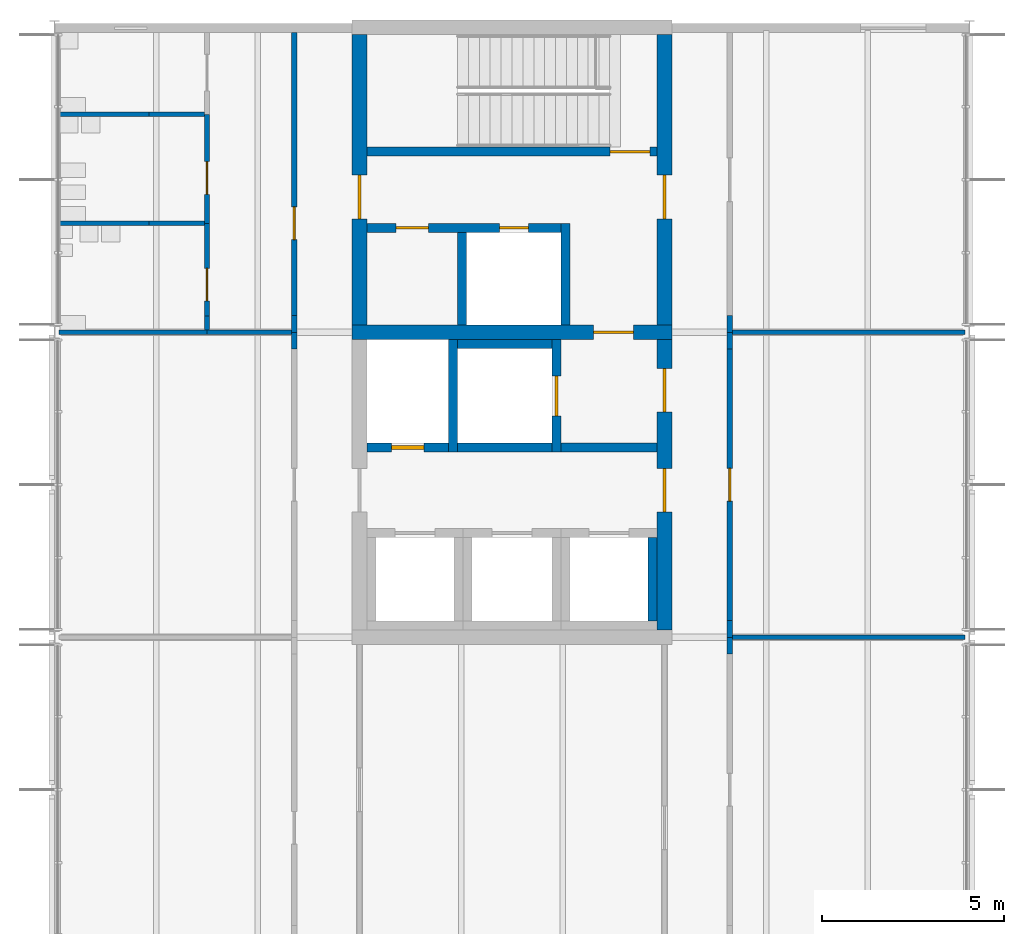
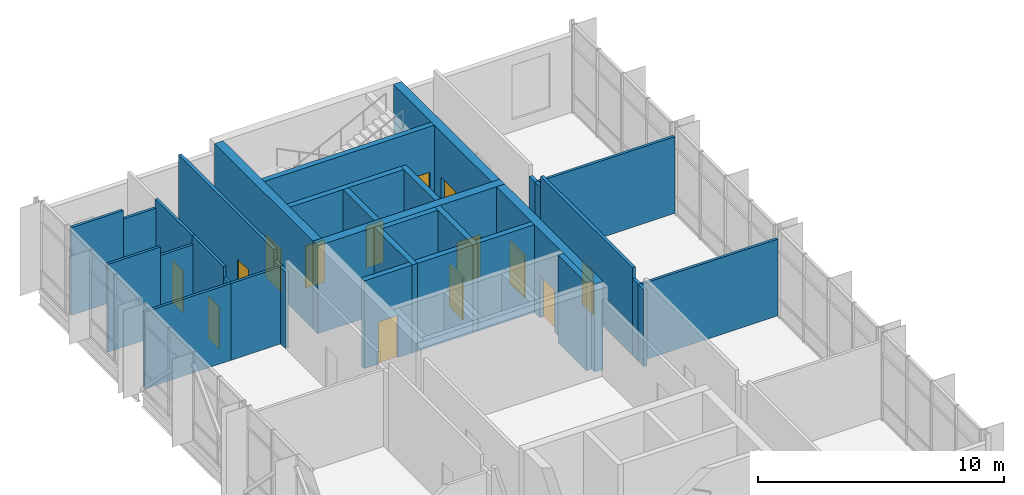
# One storey, part 10 of 17: 34 walls, 14 doors, 14 openings.
"""IFC4 building model written with IfcOpenShell, lengths in metres."""

from ifc_helpers import new_model, si_unit, direction, frame, frame_2d, origin, place, context, subcontext, project, spatial, rectangle, extrude, material, layer, layer_set, type_object, element, fill, save


model = new_model("IFC4")

# Units and contexts
model_context = context("Model", 3, precision=1e-05, world=origin(), true_north=direction((0.0, 1.0)))
body_context = subcontext(model_context, "Body", "Model", "MODEL_VIEW")
ifc_project = project(units=[si_unit("LENGTHUNIT", "METRE"), si_unit("AREAUNIT", "SQUARE_METRE"), si_unit("VOLUMEUNIT", "CUBIC_METRE"), si_unit("PLANEANGLEUNIT", "RADIAN"), si_unit("MASSUNIT", "GRAM", prefix="KILO")], contexts=[model_context])

# Site, building, storey
site_placement = place(None, origin())
site = spatial("IfcSite", under=ifc_project, at=site_placement, CompositionType="ELEMENT")
building_placement = place(site_placement, origin())
building = spatial("IfcBuilding", under=site, at=building_placement, Name="Hlaing Beacon Police Headquarters", CompositionType="ELEMENT")
storey_placement = place(building_placement, frame((0.0, 0.0, 36.89990234375)))
storey = spatial("IfcBuildingStorey", under=building, at=storey_placement, Name="L08", CompositionType="ELEMENT", Elevation=36.89990234375)

# Wall, opening, door
ifc_material_1 = material(Name="Concrete C60/75", Category="concrete")
ifc_layer_1 = layer(ifc_material_1, 0.39990234375)
ifc_layer_set_1 = layer_set([ifc_layer_1], Name="Concrete C60/75")
wall_type_1 = type_object("IfcWallType", Name="Core shear wall 400", PredefinedType="SHEAR", material=ifc_layer_set_1)
wall_1_placement = place(storey_placement, frame((109.0, 58.800048828125, 0.0), z_axis=(0.0, 0.0, 1.0), x_axis=(1.0, 0.0, 0.0)))
wall_1 = element("IfcWall", 1, at=wall_1_placement, inside=storey, type_object=wall_type_1, Name="Core shear wall", PredefinedType="SHEAR", context=body_context, shape_type="SweptSolid", body=[
    extrude(rectangle(XDim=8.800048828125, YDim=0.39990234375, at=frame_2d((4.39990234375, 0.0))), origin(), (0.0, 0.0, 1.0), 4.3701171875),
])
opening_1_placement = place(wall_1_placement, frame((6.64990234375, 0.0, 0.0)))
opening_1 = element("IfcOpeningElement", 2, at=opening_1_placement, cuts=wall_1, Name="Opening L08-904", PredefinedType="OPENING", context=body_context, shape_type="SweptSolid", body=[
    extrude(rectangle(XDim=1.10009765625, YDim=2.10009765625, at=frame_2d((0.550048828125, 1.050048828125))), frame((0.0, 0.2099609375, 0.0), z_axis=(0.0, -1.0, 0.0), x_axis=(1.0, 0.0, 0.0)), (0.0, 0.0, 1.0), 0.419921875),
])
ifc_material_2 = material(Name="Steel fire door leaf", Category="steel")
ifc_layer_2 = layer(ifc_material_2, 0.070068359375)
ifc_layer_set_2 = layer_set([ifc_layer_2], Name="Steel fire door leaf")
door_type_1 = type_object("IfcDoorType", Name="Steel fire door FD60S 1100x2100", OperationType="SINGLE_SWING_LEFT", PredefinedType="DOOR", material=ifc_layer_set_2)
door_1_placement = place(opening_1_placement, origin())
door_1 = element("IfcDoor", 3, at=door_1_placement, inside=storey, type_object=door_type_1, Name="Door Firefighting Lobby Stair", OperationType="SINGLE_SWING_LEFT", OverallHeight=2.10009765625, OverallWidth=1.10009765625, PredefinedType="DOOR", context=body_context, shape_type="SweptSolid", body=[
    extrude(rectangle(XDim=1.10009765625, YDim=2.10009765625, at=frame_2d((0.550048828125, 1.050048828125))), frame((0.0, 0.03515625, 0.0), z_axis=(0.0, -1.0, 0.0), x_axis=(1.0, 0.0, 0.0)), (0.0, 0.0, 1.0), 0.070068359375),
])
fill(opening_1, door_1)

# Wall, openings, doors
wall_2_placement = place(storey_placement, frame((117.60009765625, 50.60009765625, 0.0), z_axis=(0.0, 0.0, 1.0), x_axis=(0.0, 1.0, 0.0)))
wall_2 = element("IfcWall", 4, at=wall_2_placement, inside=storey, type_object=wall_type_1, Name="Core shear wall", PredefinedType="SHEAR", context=body_context, shape_type="SweptSolid", body=[
    extrude(rectangle(XDim=8.0, YDim=0.39990234375, at=frame_2d((4.0, 0.0))), origin(), (0.0, 0.0, 1.0), 4.3701171875),
])
opening_2_placement = place(wall_2_placement, frame((3.25, 0.0, 0.0)))
opening_2 = element("IfcOpeningElement", 5, at=opening_2_placement, cuts=wall_2, Name="Opening L08-902", PredefinedType="OPENING", context=body_context, shape_type="SweptSolid", body=[
    extrude(rectangle(XDim=1.199951171875, YDim=2.10009765625, at=frame_2d((0.60009765625, 1.050048828125))), frame((0.0, 0.2099609375, 0.0), z_axis=(0.0, -1.0, 0.0), x_axis=(1.0, 0.0, 0.0)), (0.0, 0.0, 1.0), 0.419921875),
])
opening_3_placement = place(wall_2_placement, frame((6.0, 0.0, 0.0)))
opening_3 = element("IfcOpeningElement", 6, at=opening_3_placement, cuts=wall_2, Name="Opening L08-903", PredefinedType="OPENING", context=body_context, shape_type="SweptSolid", body=[
    extrude(rectangle(XDim=1.199951171875, YDim=2.10009765625, at=frame_2d((0.60009765625, 1.050048828125))), frame((0.0, 0.2099609375, 0.0), z_axis=(0.0, -1.0, 0.0), x_axis=(1.0, 0.0, 0.0)), (0.0, 0.0, 1.0), 0.419921875),
])
ifc_material_3 = material(Name="Steel fire door leaf", Category="steel")
ifc_layer_3 = layer(ifc_material_3, 0.070068359375)
ifc_layer_set_3 = layer_set([ifc_layer_3], Name="Steel fire door leaf")
door_type_2 = type_object("IfcDoorType", Name="Steel fire door FD60S 1200x2100", OperationType="SINGLE_SWING_LEFT", PredefinedType="DOOR", material=ifc_layer_set_3)
door_2_placement = place(opening_2_placement, origin())
door_2 = element("IfcDoor", 7, at=door_2_placement, inside=storey, type_object=door_type_2, Name="Door Lift Lobby Entry", OperationType="SINGLE_SWING_RIGHT", OverallHeight=2.10009765625, OverallWidth=1.199951171875, PredefinedType="DOOR", context=body_context, shape_type="SweptSolid", body=[
    extrude(rectangle(XDim=1.199951171875, YDim=2.10009765625, at=frame_2d((0.60009765625, 1.050048828125))), frame((0.0, 0.03515625, 0.0), z_axis=(0.0, -1.0, 0.0), x_axis=(1.0, 0.0, 0.0)), (0.0, 0.0, 1.0), 0.070068359375),
])
fill(opening_2, door_2)
door_3_placement = place(opening_3_placement, origin())
door_3 = element("IfcDoor", 8, at=door_3_placement, inside=storey, type_object=door_type_2, Name="Door Firefighting Lobby Entry", OperationType="SINGLE_SWING_LEFT", OverallHeight=2.10009765625, OverallWidth=1.199951171875, PredefinedType="DOOR", context=body_context, shape_type="SweptSolid", body=[
    extrude(rectangle(XDim=1.199951171875, YDim=2.10009765625, at=frame_2d((0.60009765625, 1.050048828125))), frame((0.0, 0.03515625, 0.0), z_axis=(0.0, -1.0, 0.0), x_axis=(1.0, 0.0, 0.0)), (0.0, 0.0, 1.0), 0.070068359375),
])
fill(opening_3, door_3)

# Wall, opening, door
wall_3_placement = place(storey_placement, frame((109.199951171875, 59.0, 0.0), z_axis=(0.0, 0.0, 1.0), x_axis=(0.0, 1.0, 0.0)))
wall_3 = element("IfcWall", 9, at=wall_3_placement, inside=storey, type_object=wall_type_1, Name="Core shear wall", PredefinedType="SHEAR", context=body_context, shape_type="SweptSolid", body=[
    extrude(rectangle(XDim=8.0, YDim=0.39990234375, at=frame_2d((4.0, 0.0))), origin(), (0.0, 0.0, 1.0), 4.3701171875),
])
opening_4_placement = place(wall_3_placement, frame((2.925048828125, 0.0, 0.0)))
opening_4 = element("IfcOpeningElement", 10, at=opening_4_placement, cuts=wall_3, Name="Opening L08-907", PredefinedType="OPENING", context=body_context, shape_type="SweptSolid", body=[
    extrude(rectangle(XDim=1.199951171875, YDim=2.10009765625, at=frame_2d((0.60009765625, 1.050048828125))), frame((0.0, 0.2099609375, 0.0), z_axis=(0.0, -1.0, 0.0), x_axis=(1.0, 0.0, 0.0)), (0.0, 0.0, 1.0), 0.419921875),
])
door_4_placement = place(opening_4_placement, frame((1.199951171875, 0.0, 0.0), z_axis=(0.0, 0.0, 1.0), x_axis=(-1.0, 0.0, 0.0)))
door_4 = element("IfcDoor", 11, at=door_4_placement, inside=storey, type_object=door_type_2, Name="Door Stair Lobby ST-M Entry", OperationType="SINGLE_SWING_LEFT", OverallHeight=2.10009765625, OverallWidth=1.199951171875, PredefinedType="DOOR", context=body_context, shape_type="SweptSolid", body=[
    extrude(rectangle(XDim=1.199951171875, YDim=2.10009765625, at=frame_2d((0.599853515625, 1.050048828125))), frame((0.0, 0.034912109375, 0.0), z_axis=(0.0, -1.0, 0.0), x_axis=(1.0, 0.0, 0.0)), (0.0, 0.0, 1.0), 0.070068359375),
])
fill(opening_4, door_4)

wall_4_placement = place(storey_placement, frame((117.60009765625, 59.0, 0.0), z_axis=(0.0, 0.0, 1.0), x_axis=(0.0, 1.0, 0.0)))
wall_4 = element("IfcWall", 12, at=wall_4_placement, inside=storey, type_object=wall_type_1, Name="Core shear wall", PredefinedType="SHEAR", context=body_context, shape_type="SweptSolid", body=[
    extrude(rectangle(XDim=8.0, YDim=0.39990234375, at=frame_2d((4.0, 0.0))), origin(), (0.0, 0.0, 1.0), 4.3701171875),
])
opening_5_placement = place(wall_4_placement, frame((2.925048828125, 0.0, 0.0)))
opening_5 = element("IfcOpeningElement", 13, at=opening_5_placement, cuts=wall_4, Name="Opening L08-908", PredefinedType="OPENING", context=body_context, shape_type="SweptSolid", body=[
    extrude(rectangle(XDim=1.199951171875, YDim=2.10009765625, at=frame_2d((0.60009765625, 1.050048828125))), frame((0.0, 0.2099609375, 0.0), z_axis=(0.0, -1.0, 0.0), x_axis=(1.0, 0.0, 0.0)), (0.0, 0.0, 1.0), 0.419921875),
])
door_5_placement = place(opening_5_placement, origin())
door_5 = element("IfcDoor", 14, at=door_5_placement, inside=storey, type_object=door_type_2, Name="Door Stair Lobby ST-M Entry", OperationType="SINGLE_SWING_RIGHT", OverallHeight=2.10009765625, OverallWidth=1.199951171875, PredefinedType="DOOR", context=body_context, shape_type="SweptSolid", body=[
    extrude(rectangle(XDim=1.199951171875, YDim=2.10009765625, at=frame_2d((0.60009765625, 1.050048828125))), frame((0.0, 0.03515625, 0.0), z_axis=(0.0, -1.0, 0.0), x_axis=(1.0, 0.0, 0.0)), (0.0, 0.0, 1.0), 0.070068359375),
])
fill(opening_5, door_5)

# Walls
ifc_material_4 = material(Name="Gypsum board partition")
ifc_layer_4 = layer(ifc_material_4, 0.14990234375)
ifc_layer_set_4 = layer_set([ifc_layer_4], Name="Gypsum board partition")
wall_type_2 = type_object("IfcWallType", Name="Corridor wall EI 30 150", PredefinedType="PARTITIONING", material=ifc_layer_set_4)
wall_5_placement = place(storey_placement, frame((119.39990234375, 49.93994140625, 0.0), z_axis=(0.0, 0.0, 1.0), x_axis=(0.0, 1.0, 0.0)))
element("IfcWall", 15, at=wall_5_placement, inside=storey, type_object=wall_type_2, Name="Corridor wall EI 30 150", PredefinedType="PARTITIONING", context=body_context, shape_type="SweptSolid", body=[
    extrude(rectangle(XDim=0.4599609375, YDim=0.14990234375, at=frame_2d((0.22998046875, 0.0))), origin(), (0.0, 0.0, 1.0), 3.817138671875),
])
wall_6_placement = place(storey_placement, frame((119.39990234375, 50.39990234375, 0.0), z_axis=(0.0, 0.0, 1.0), x_axis=(0.0, 1.0, 0.0)))
element("IfcWall", 16, at=wall_6_placement, inside=storey, type_object=wall_type_2, Name="Corridor wall EI 30 150", PredefinedType="PARTITIONING", context=body_context, shape_type="SweptSolid", body=[
    extrude(rectangle(XDim=0.460205078125, YDim=0.14990234375, at=frame_2d((0.22998046875, 0.0))), origin(), (0.0, 0.0, 1.0), 3.817138671875),
])

# Wall, opening, door
wall_7_placement = place(storey_placement, frame((119.39990234375, 50.860107421875, 0.0), z_axis=(0.0, 0.0, 1.0), x_axis=(0.0, 1.0, 0.0)))
wall_7 = element("IfcWall", 17, at=wall_7_placement, inside=storey, type_object=wall_type_2, Name="Corridor wall EI 30 150", PredefinedType="PARTITIONING", context=body_context, shape_type="SweptSolid", body=[
    extrude(rectangle(XDim=7.47998046875, YDim=0.14990234375, at=frame_2d((3.739990234375, 0.0))), origin(), (0.0, 0.0, 1.0), 4.3701171875),
])
opening_6_placement = place(wall_7_placement, frame((3.2900390625, 0.0, 0.0)))
opening_6 = element("IfcOpeningElement", 18, at=opening_6_placement, cuts=wall_7, Name="Opening L08-003", PredefinedType="OPENING", context=body_context, shape_type="SweptSolid", body=[
    extrude(rectangle(XDim=0.89990234375, YDim=2.10009765625, at=frame_2d((0.449951171875, 1.050048828125))), frame((0.0, 0.0849609375, 0.0), z_axis=(0.0, -1.0, 0.0), x_axis=(1.0, 0.0, 0.0)), (0.0, 0.0, 1.0), 0.169921875),
])
ifc_material_5 = material(Name="Hardwood door leaf", Category="wood")
ifc_layer_5 = layer(ifc_material_5, 0.050048828125)
ifc_layer_set_5 = layer_set([ifc_layer_5], Name="Hardwood door leaf")
door_type_3 = type_object("IfcDoorType", Name="Fire door FD30S 900x2100", OperationType="SINGLE_SWING_LEFT", PredefinedType="DOOR", material=ifc_layer_set_5)
door_6_placement = place(opening_6_placement, frame((0.89990234375, 0.0, 0.0), z_axis=(0.0, 0.0, 1.0), x_axis=(-1.0, 0.0, 0.0)))
door_6 = element("IfcDoor", 19, at=door_6_placement, inside=storey, type_object=door_type_3, Name="Door Operations Commanders' Suite 3", OperationType="SINGLE_SWING_LEFT", OverallHeight=2.10009765625, OverallWidth=0.89990234375, PredefinedType="DOOR", context=body_context, shape_type="SweptSolid", body=[
    extrude(rectangle(XDim=0.89990234375, YDim=2.10009765625, at=frame_2d((0.449951171875, 1.050048828125))), frame((0.0, 0.025146484375, 0.0), z_axis=(0.0, -1.0, 0.0), x_axis=(1.0, 0.0, 0.0)), (0.0, 0.0, 1.0), 0.050048828125),
])
fill(opening_6, door_6)

# Walls
for number, where, z_axis, x_axis, name in (
    (20, (119.39990234375, 58.340087890625, 0.0), (0.0, 0.0, 1.0), (0.0, 1.0, 0.0), "Corridor wall EI 30 150"),
    (21, (119.39990234375, 58.800048828125, 0.0), (0.0, 0.0, 1.0), (0.0, 1.0, 0.0), "Corridor wall EI 30 150"),
    (22, (107.39990234375, 58.340087890625, 0.0), (0.0, 0.0, 1.0), (0.0, 1.0, 0.0), "Corridor wall EI 30 150"),
    (23, (107.39990234375, 58.800048828125, 0.0), (0.0, 0.0, 1.0), (0.0, 1.0, 0.0), "Corridor wall EI 30 150"),
):
    element("IfcWall", number, at=place(storey_placement, frame(where, z_axis=z_axis, x_axis=x_axis)), inside=storey, type_object=wall_type_2, Name=name, PredefinedType="PARTITIONING", context=body_context, shape_type="SweptSolid", body=[
        extrude(rectangle(XDim=0.4599609375, YDim=0.14990234375, at=frame_2d((0.22998046875, 0.0))), origin(), (0.0, 0.0, 1.0), 3.817138671875),
    ])

# Wall, opening, door
wall_8_placement = place(storey_placement, frame((107.39990234375, 59.260009765625, 0.0), z_axis=(0.0, 0.0, 1.0), x_axis=(0.0, 1.0, 0.0)))
wall_8 = element("IfcWall", 24, at=wall_8_placement, inside=storey, type_object=wall_type_2, Name="Corridor wall EI 30 150", PredefinedType="PARTITIONING", context=body_context, shape_type="SweptSolid", body=[
    extrude(rectangle(XDim=7.7900390625, YDim=0.14990234375, at=frame_2d((3.89501953125, 0.0))), origin(), (0.0, 0.0, 1.0), 4.3701171875),
])
opening_7_placement = place(wall_8_placement, frame((2.090087890625, 0.0, 0.0)))
opening_7 = element("IfcOpeningElement", 25, at=opening_7_placement, cuts=wall_8, Name="Opening L08-012", PredefinedType="OPENING", context=body_context, shape_type="SweptSolid", body=[
    extrude(rectangle(XDim=0.89990234375, YDim=2.10009765625, at=frame_2d((0.449951171875, 1.050048828125))), frame((0.0, 0.0849609375, 0.0), z_axis=(0.0, -1.0, 0.0), x_axis=(1.0, 0.0, 0.0)), (0.0, 0.0, 1.0), 0.169921875),
])
door_7_placement = place(opening_7_placement, origin())
door_7 = element("IfcDoor", 26, at=door_7_placement, inside=storey, type_object=door_type_3, Name="Door WC Lobby", OperationType="SINGLE_SWING_RIGHT", OverallHeight=2.10009765625, OverallWidth=0.89990234375, PredefinedType="DOOR", context=body_context, shape_type="SweptSolid", body=[
    extrude(rectangle(XDim=0.89990234375, YDim=2.10009765625, at=frame_2d((0.449951171875, 1.050048828125))), frame((0.0, 0.02490234375, 0.0), z_axis=(0.0, -1.0, 0.0), x_axis=(1.0, 0.0, 0.0)), (0.0, 0.0, 1.0), 0.050048828125),
])
fill(opening_7, door_7)

# Walls
ifc_material_6 = material(Name="Gypsum board partition")
ifc_layer_6 = layer(ifc_material_6, 0.125)
ifc_layer_set_6 = layer_set([ifc_layer_6], Name="Gypsum board partition")
wall_type_3 = type_object("IfcWallType", Name="Partition 125", PredefinedType="PARTITIONING", material=ifc_layer_set_6)
for number, where, z_axis, x_axis, name in (
    (27, (119.47509765625, 50.39990234375, 0.0), (0.0, 0.0, 1.0), (1.0, 0.0, 0.0), "Partition 125"),
    (28, (119.47509765625, 58.800048828125, 0.0), (0.0, 0.0, 1.0), (1.0, 0.0, 0.0), "Partition 125"),
):
    element("IfcWall", number, at=place(storey_placement, frame(where, z_axis=z_axis, x_axis=x_axis)), inside=storey, type_object=wall_type_3, Name=name, PredefinedType="PARTITIONING", context=body_context, shape_type="SweptSolid", body=[
        extrude(rectangle(XDim=6.39599609375, YDim=0.125, at=frame_2d((3.197998046875, 0.0))), origin(), (0.0, 0.0, 1.0), 3.817138671875),
    ])
wall_9_placement = place(storey_placement, frame((105.0, 58.800048828125, 0.0), z_axis=(0.0, 0.0, 1.0), x_axis=(1.0, 0.0, 0.0)))
element("IfcWall", 29, at=wall_9_placement, inside=storey, type_object=wall_type_3, Name="Partition 125", PredefinedType="PARTITIONING", context=body_context, shape_type="SweptSolid", body=[
    extrude(rectangle(XDim=2.324951171875, YDim=0.125, at=frame_2d((1.16259765625, 0.0))), origin(), (0.0, 0.0, 1.0), 3.817138671875),
])
wall_10_placement = place(storey_placement, frame((100.927978515625, 58.800048828125, 0.0), z_axis=(0.0, 0.0, 1.0), x_axis=(1.0, 0.0, 0.0)))
element("IfcWall", 30, at=wall_10_placement, inside=storey, type_object=wall_type_3, Name="Partition 125", PredefinedType="PARTITIONING", context=body_context, shape_type="SweptSolid", body=[
    extrude(rectangle(XDim=4.072021484375, YDim=0.125, at=frame_2d((2.0361328125, 0.0))), origin(), (0.0, 0.0, 1.0), 3.817138671875),
])
wall_11_placement = place(storey_placement, frame((100.949951171875, 64.800048828125, 0.0), z_axis=(0.0, 0.0, 1.0), x_axis=(1.0, 0.0, 0.0)))
element("IfcWall", 31, at=wall_11_placement, inside=storey, type_object=wall_type_3, Name="Partition 125", PredefinedType="PARTITIONING", context=body_context, shape_type="SweptSolid", body=[
    extrude(rectangle(XDim=2.45703125, YDim=0.125, at=frame_2d((1.228515625, 0.0))), origin(), (0.0, 0.0, 1.0), 4.3701171875),
])
wall_12_placement = place(storey_placement, frame((103.406982421875, 64.800048828125, 0.0), z_axis=(0.0, 0.0, 1.0), x_axis=(1.0, 0.0, 0.0)))
element("IfcWall", 32, at=wall_12_placement, inside=storey, type_object=wall_type_3, Name="Partition 125", PredefinedType="PARTITIONING", context=body_context, shape_type="SweptSolid", body=[
    extrude(rectangle(XDim=1.531005859375, YDim=0.125, at=frame_2d((0.765625, 0.0))), origin(), (0.0, 0.0, 1.0), 3.946044921875),
])

# Wall, opening, door
wall_13_placement = place(storey_placement, frame((105.0, 61.800048828125, 0.0), z_axis=(0.0, 0.0, 1.0), x_axis=(0.0, 1.0, 0.0)))
wall_13 = element("IfcWall", 33, at=wall_13_placement, inside=storey, type_object=wall_type_3, Name="Partition 125", PredefinedType="PARTITIONING", context=body_context, shape_type="SweptSolid", body=[
    extrude(rectangle(XDim=3.0, YDim=0.125, at=frame_2d((1.5, 0.0))), origin(), (0.0, 0.0, 1.0), 4.3701171875),
])
opening_8_placement = place(wall_13_placement, frame((0.800048828125, 0.0, 0.0)))
opening_8 = element("IfcOpeningElement", 34, at=opening_8_placement, cuts=wall_13, Name="Opening L08-011", PredefinedType="OPENING", context=body_context, shape_type="SweptSolid", body=[
    extrude(rectangle(XDim=0.89990234375, YDim=2.10009765625, at=frame_2d((0.449951171875, 1.050048828125))), frame((0.0, 0.072509765625, 0.0), z_axis=(0.0, -1.0, 0.0), x_axis=(1.0, 0.0, 0.0)), (0.0, 0.0, 1.0), 0.14501953125),
])
ifc_material_7 = material(Name="Hardwood door leaf", Category="wood")
ifc_layer_7 = layer(ifc_material_7, 0.0400390625)
ifc_layer_set_7 = layer_set([ifc_layer_7], Name="Hardwood door leaf")
door_type_4 = type_object("IfcDoorType", Name="Door 900x2100", OperationType="SINGLE_SWING_LEFT", PredefinedType="DOOR", material=ifc_layer_set_7)
door_8_placement = place(opening_8_placement, origin())
door_8 = element("IfcDoor", 35, at=door_8_placement, inside=storey, type_object=door_type_4, Name="Door Female WC", OperationType="SINGLE_SWING_RIGHT", OverallHeight=2.10009765625, OverallWidth=0.89990234375, PredefinedType="DOOR", context=body_context, shape_type="SweptSolid", body=[
    extrude(rectangle(XDim=0.89990234375, YDim=2.10009765625, at=frame_2d((0.449951171875, 1.050048828125))), frame((0.0, 0.02001953125, 0.0), z_axis=(0.0, -1.0, 0.0), x_axis=(1.0, 0.0, 0.0)), (0.0, 0.0, 1.0), 0.0400390625),
])
fill(opening_8, door_8)

# Walls
wall_14_placement = place(storey_placement, frame((100.949951171875, 61.800048828125, 0.0), z_axis=(0.0, 0.0, 1.0), x_axis=(1.0, 0.0, 0.0)))
element("IfcWall", 36, at=wall_14_placement, inside=storey, type_object=wall_type_3, Name="Partition 125", PredefinedType="PARTITIONING", context=body_context, shape_type="SweptSolid", body=[
    extrude(rectangle(XDim=2.45703125, YDim=0.125, at=frame_2d((1.228515625, 0.0))), origin(), (0.0, 0.0, 1.0), 4.3701171875),
])
wall_15_placement = place(storey_placement, frame((103.406982421875, 61.800048828125, 0.0), z_axis=(0.0, 0.0, 1.0), x_axis=(1.0, 0.0, 0.0)))
element("IfcWall", 37, at=wall_15_placement, inside=storey, type_object=wall_type_3, Name="Partition 125", PredefinedType="PARTITIONING", context=body_context, shape_type="SweptSolid", body=[
    extrude(rectangle(XDim=1.531005859375, YDim=0.125, at=frame_2d((0.765625, 0.0))), origin(), (0.0, 0.0, 1.0), 3.946044921875),
])
wall_16_placement = place(storey_placement, frame((105.0, 58.862060546875, 0.0), z_axis=(0.0, 0.0, 1.0), x_axis=(0.0, 1.0, 0.0)))
element("IfcWall", 38, at=wall_16_placement, inside=storey, type_object=wall_type_3, Name="Partition 125", PredefinedType="PARTITIONING", context=body_context, shape_type="SweptSolid", body=[
    extrude(rectangle(XDim=0.385009765625, YDim=0.125, at=frame_2d((0.1923828125, 0.0))), origin(), (0.0, 0.0, 1.0), 3.817138671875),
])

# Wall, opening, door
wall_17_placement = place(storey_placement, frame((105.0, 59.2470703125, 0.0), z_axis=(0.0, 0.0, 1.0), x_axis=(0.0, 1.0, 0.0)))
wall_17 = element("IfcWall", 39, at=wall_17_placement, inside=storey, type_object=wall_type_3, Name="Partition 125", PredefinedType="PARTITIONING", context=body_context, shape_type="SweptSolid", body=[
    extrude(rectangle(XDim=2.552978515625, YDim=0.125, at=frame_2d((1.2763671875, 0.0))), origin(), (0.0, 0.0, 1.0), 4.3701171875),
])
opening_9_placement = place(wall_17_placement, frame((0.4150390625, 0.0, 0.0)))
opening_9 = element("IfcOpeningElement", 40, at=opening_9_placement, cuts=wall_17, Name="Opening L08-013", PredefinedType="OPENING", context=body_context, shape_type="SweptSolid", body=[
    extrude(rectangle(XDim=0.89990234375, YDim=2.10009765625, at=frame_2d((0.449951171875, 1.050048828125))), frame((0.0, 0.072509765625, 0.0), z_axis=(0.0, -1.0, 0.0), x_axis=(1.0, 0.0, 0.0)), (0.0, 0.0, 1.0), 0.14501953125),
])
door_9_placement = place(opening_9_placement, origin())
door_9 = element("IfcDoor", 41, at=door_9_placement, inside=storey, type_object=door_type_4, Name="Door Male WC", OperationType="SINGLE_SWING_RIGHT", OverallHeight=2.10009765625, OverallWidth=0.89990234375, PredefinedType="DOOR", context=body_context, shape_type="SweptSolid", body=[
    extrude(rectangle(XDim=0.89990234375, YDim=2.10009765625, at=frame_2d((0.449951171875, 1.050048828125))), frame((0.0, 0.02001953125, 0.0), z_axis=(0.0, -1.0, 0.0), x_axis=(1.0, 0.0, 0.0)), (0.0, 0.0, 1.0), 0.0400390625),
])
fill(opening_9, door_9)

ifc_material_8 = material(Name="Concrete C40/50", Category="concrete")
ifc_layer_8 = layer(ifc_material_8, 0.25)
ifc_layer_set_8 = layer_set([ifc_layer_8], Name="Concrete C40/50")
wall_type_4 = type_object("IfcWallType", Name="Shaft wall 250", PredefinedType="SOLIDWALL", material=ifc_layer_set_8)
wall_18_placement = place(storey_placement, frame((109.39990234375, 55.625, 0.0), z_axis=(0.0, 0.0, 1.0), x_axis=(1.0, 0.0, 0.0)))
wall_18 = element("IfcWall", 42, at=wall_18_placement, inside=storey, type_object=wall_type_4, Name="Lobby wall", PredefinedType="SOLIDWALL", context=body_context, shape_type="SweptSolid", body=[
    extrude(rectangle(XDim=2.25, YDim=0.25, at=frame_2d((1.125, 0.0))), origin(), (0.0, 0.0, 1.0), 4.3701171875),
])
opening_10_placement = place(wall_18_placement, frame((0.675048828125, 0.0, 0.0)))
opening_10 = element("IfcOpeningElement", 43, at=opening_10_placement, cuts=wall_18, Name="Opening L08-905", PredefinedType="OPENING", context=body_context, shape_type="SweptSolid", body=[
    extrude(rectangle(XDim=0.89990234375, YDim=2.10009765625, at=frame_2d((0.449951171875, 1.050048828125))), frame((0.0, 0.135009765625, 0.0), z_axis=(0.0, -1.0, 0.0), x_axis=(1.0, 0.0, 0.0)), (0.0, 0.0, 1.0), 0.27001953125),
])
ifc_material_9 = material(Name="Steel fire door leaf", Category="steel")
ifc_layer_9 = layer(ifc_material_9, 0.10009765625)
ifc_layer_set_9 = layer_set([ifc_layer_9], Name="Steel fire door leaf")
door_type_5 = type_object("IfcDoorType", Name="Steel fire door FD120 900x2100", OperationType="SINGLE_SWING_LEFT", PredefinedType="DOOR", material=ifc_layer_set_9)
door_10_placement = place(opening_10_placement, origin())
door_10 = element("IfcDoor", 44, at=door_10_placement, inside=storey, type_object=door_type_5, Name="Door Electrical Riser Room", OperationType="SINGLE_SWING_LEFT", OverallHeight=2.10009765625, OverallWidth=0.89990234375, PredefinedType="DOOR", context=body_context, shape_type="SweptSolid", body=[
    extrude(rectangle(XDim=0.89990234375, YDim=2.10009765625, at=frame_2d((0.449951171875, 1.050048828125))), frame((0.0, 0.050048828125, 0.0), z_axis=(0.0, -1.0, 0.0), x_axis=(1.0, 0.0, 0.0)), (0.0, 0.0, 1.0), 0.10009765625),
])
fill(opening_10, door_10)

# Wall
wall_19_placement = place(storey_placement, frame((114.75, 55.625, 0.0), z_axis=(0.0, 0.0, 1.0), x_axis=(1.0, 0.0, 0.0)))
element("IfcWall", 45, at=wall_19_placement, inside=storey, type_object=wall_type_4, Name="Firefighting lobby wall", PredefinedType="SOLIDWALL", context=body_context, shape_type="SweptSolid", body=[
    extrude(rectangle(XDim=2.64990234375, YDim=0.25, at=frame_2d((1.324951171875, 0.0))), origin(), (0.0, 0.0, 1.0), 4.3701171875),
])

# Wall, opening, door
wall_20_placement = place(storey_placement, frame((117.39990234375, 63.77490234375, 0.0), z_axis=(0.0, 0.0, 1.0), x_axis=(-1.0, 0.0, 0.0)))
wall_20 = element("IfcWall", 46, at=wall_20_placement, inside=storey, type_object=wall_type_4, Name="Stair enclosure wall", PredefinedType="SOLIDWALL", context=body_context, shape_type="SweptSolid", body=[
    extrude(rectangle(XDim=8.0, YDim=0.25, at=frame_2d((4.0, 0.0))), origin(), (0.0, 0.0, 1.0), 4.3701171875),
])
opening_11_placement = place(wall_20_placement, frame((0.199951171875, 0.0, 0.0)))
opening_11 = element("IfcOpeningElement", 47, at=opening_11_placement, cuts=wall_20, Name="Opening L08-910", PredefinedType="OPENING", context=body_context, shape_type="SweptSolid", body=[
    extrude(rectangle(XDim=1.10009765625, YDim=2.10009765625, at=frame_2d((0.550048828125, 1.050048828125))), frame((0.0, 0.135009765625, 0.0), z_axis=(0.0, -1.0, 0.0), x_axis=(1.0, 0.0, 0.0)), (0.0, 0.0, 1.0), 0.27001953125),
])
ifc_material_10 = material(Name="Steel fire door leaf", Category="steel")
ifc_layer_10 = layer(ifc_material_10, 0.070068359375)
ifc_layer_set_10 = layer_set([ifc_layer_10], Name="Steel fire door leaf")
door_type_6 = type_object("IfcDoorType", Name="Steel fire door FD60 1100x2100", OperationType="SINGLE_SWING_LEFT", PredefinedType="DOOR", material=ifc_layer_set_10)
door_11_placement = place(opening_11_placement, frame((1.10009765625, 0.0, 0.0), z_axis=(0.0, 0.0, 1.0), x_axis=(-1.0, 0.0, 0.0)))
door_11 = element("IfcDoor", 48, at=door_11_placement, inside=storey, type_object=door_type_6, Name="Door Stair ST-M", OperationType="SINGLE_SWING_LEFT", OverallHeight=2.10009765625, OverallWidth=1.10009765625, PredefinedType="DOOR", context=body_context, shape_type="SweptSolid", body=[
    extrude(rectangle(XDim=1.10009765625, YDim=2.10009765625, at=frame_2d((0.550048828125, 1.050048828125))), frame((0.0, 0.034912109375, 0.0), z_axis=(0.0, -1.0, 0.0), x_axis=(1.0, 0.0, 0.0)), (0.0, 0.0, 1.0), 0.070068359375),
])
fill(opening_11, door_11)

# Wall
wall_21_placement = place(storey_placement, frame((114.875, 61.800048828125, 0.0), z_axis=(0.0, 0.0, 1.0), x_axis=(0.0, -1.0, 0.0)))
element("IfcWall", 49, at=wall_21_placement, inside=storey, type_object=wall_type_4, Name="Lobby wall", PredefinedType="SOLIDWALL", context=body_context, shape_type="SweptSolid", body=[
    extrude(rectangle(XDim=2.800048828125, YDim=0.25, at=frame_2d((1.39990234375, 0.0))), origin(), (0.0, 0.0, 1.0), 4.3701171875),
])

# Wall, openings, doors
wall_22_placement = place(storey_placement, frame((114.75, 61.675048828125, 0.0), z_axis=(0.0, 0.0, 1.0), x_axis=(-1.0, 0.0, 0.0)))
wall_22 = element("IfcWall", 50, at=wall_22_placement, inside=storey, type_object=wall_type_4, Name="Lobby wall", PredefinedType="SOLIDWALL", context=body_context, shape_type="SweptSolid", body=[
    extrude(rectangle(XDim=5.35009765625, YDim=0.25, at=frame_2d((2.675048828125, 0.0))), origin(), (0.0, 0.0, 1.0), 4.3701171875),
])
opening_12_placement = place(wall_22_placement, frame((3.64990234375, 0.0, 0.0)))
opening_12 = element("IfcOpeningElement", 51, at=opening_12_placement, cuts=wall_22, Name="Opening L08-906", PredefinedType="OPENING", context=body_context, shape_type="SweptSolid", body=[
    extrude(rectangle(XDim=0.89990234375, YDim=2.10009765625, at=frame_2d((0.449951171875, 1.050048828125))), frame((0.0, 0.135009765625, 0.0), z_axis=(0.0, -1.0, 0.0), x_axis=(1.0, 0.0, 0.0)), (0.0, 0.0, 1.0), 0.27001953125),
])
opening_13_placement = place(wall_22_placement, frame((0.89990234375, 0.0, 0.0)))
opening_13 = element("IfcOpeningElement", 52, at=opening_13_placement, cuts=wall_22, Name="Opening L08-909", PredefinedType="OPENING", context=body_context, shape_type="SweptSolid", body=[
    extrude(rectangle(XDim=0.800048828125, YDim=2.10009765625, at=frame_2d((0.39990234375, 1.050048828125))), frame((0.0, 0.135009765625, 0.0), z_axis=(0.0, -1.0, 0.0), x_axis=(1.0, 0.0, 0.0)), (0.0, 0.0, 1.0), 0.27001953125),
])
ifc_material_11 = material(Name="Steel fire door leaf", Category="steel")
ifc_layer_11 = layer(ifc_material_11, 0.070068359375)
ifc_layer_set_11 = layer_set([ifc_layer_11], Name="Steel fire door leaf")
door_type_7 = type_object("IfcDoorType", Name="Steel fire door FD60 800x2100", OperationType="SINGLE_SWING_LEFT", PredefinedType="DOOR", material=ifc_layer_set_11)
door_12_placement = place(opening_13_placement, origin())
door_12 = element("IfcDoor", 53, at=door_12_placement, inside=storey, type_object=door_type_7, Name="Door Services Riser", OperationType="SINGLE_SWING_RIGHT", OverallHeight=2.10009765625, OverallWidth=0.800048828125, PredefinedType="DOOR", context=body_context, shape_type="SweptSolid", body=[
    extrude(rectangle(XDim=0.800048828125, YDim=2.10009765625, at=frame_2d((0.39990234375, 1.050048828125))), frame((0.0, 0.03515625, 0.0), z_axis=(0.0, -1.0, 0.0), x_axis=(1.0, 0.0, 0.0)), (0.0, 0.0, 1.0), 0.070068359375),
])
fill(opening_13, door_12)
ifc_material_12 = material(Name="Steel fire door leaf", Category="steel")
ifc_layer_12 = layer(ifc_material_12, 0.070068359375)
ifc_layer_set_12 = layer_set([ifc_layer_12], Name="Steel fire door leaf")
door_type_8 = type_object("IfcDoorType", Name="Steel fire door FD60 900x2100", OperationType="SINGLE_SWING_LEFT", PredefinedType="DOOR", material=ifc_layer_set_12)
door_13_placement = place(opening_12_placement, origin())
door_13 = element("IfcDoor", 54, at=door_13_placement, inside=storey, type_object=door_type_8, Name="Door Cleaners' Store", OperationType="SINGLE_SWING_LEFT", OverallHeight=2.10009765625, OverallWidth=0.89990234375, PredefinedType="DOOR", context=body_context, shape_type="SweptSolid", body=[
    extrude(rectangle(XDim=0.89990234375, YDim=2.10009765625, at=frame_2d((0.449951171875, 1.050048828125))), frame((0.0, 0.03515625, 0.0), z_axis=(0.0, -1.0, 0.0), x_axis=(1.0, 0.0, 0.0)), (0.0, 0.0, 1.0), 0.070068359375),
])
fill(opening_12, door_13)

# Wall
wall_23_placement = place(storey_placement, frame((112.02490234375, 61.550048828125, 0.0), z_axis=(0.0, 0.0, 1.0), x_axis=(0.0, -1.0, 0.0)))
element("IfcWall", 55, at=wall_23_placement, inside=storey, type_object=wall_type_4, Name="Riser wall", PredefinedType="SOLIDWALL", context=body_context, shape_type="SweptSolid", body=[
    extrude(rectangle(XDim=2.550048828125, YDim=0.25, at=frame_2d((1.27490234375, 0.0))), origin(), (0.0, 0.0, 1.0), 4.3701171875),
])

# Wall, opening, door
wall_24_placement = place(storey_placement, frame((114.625, 55.5, 0.0), z_axis=(0.0, 0.0, 1.0), x_axis=(0.0, 1.0, 0.0)))
wall_24 = element("IfcWall", 56, at=wall_24_placement, inside=storey, type_object=wall_type_4, Name="Lift shaft wall FL1", PredefinedType="SOLIDWALL", context=body_context, shape_type="SweptSolid", body=[
    extrude(rectangle(XDim=3.10009765625, YDim=0.25, at=frame_2d((1.550048828125, 0.0))), origin(), (0.0, 0.0, 1.0), 4.3701171875),
])
opening_14_placement = place(wall_24_placement, frame((1.0, 0.0, 0.0)))
opening_14 = element("IfcOpeningElement", 57, at=opening_14_placement, cuts=wall_24, Name="Opening LD-FL1-L08", PredefinedType="OPENING", context=body_context, shape_type="SweptSolid", body=[
    extrude(rectangle(XDim=1.10009765625, YDim=2.10009765625, at=frame_2d((0.550048828125, 1.050048828125))), frame((0.0, 0.135009765625, 0.0), z_axis=(0.0, -1.0, 0.0), x_axis=(1.0, 0.0, 0.0)), (0.0, 0.0, 1.0), 0.27001953125),
])
ifc_material_13 = material(Name="Stainless steel lift landing door", Category="steel")
ifc_layer_13 = layer(ifc_material_13, 0.06005859375)
ifc_layer_set_13 = layer_set([ifc_layer_13], Name="Stainless steel lift landing door")
door_type_9 = type_object("IfcDoorType", Name="Lift landing door 1100x2100", OperationType="DOUBLE_DOOR_SLIDING", PredefinedType="DOOR", material=ifc_layer_set_13)
door_14_placement = place(opening_14_placement, origin())
door_14 = element("IfcDoor", 58, at=door_14_placement, inside=storey, type_object=door_type_9, Name="Landing door FL1 L08", OperationType="DOUBLE_DOOR_SLIDING", OverallHeight=2.10009765625, OverallWidth=1.10009765625, PredefinedType="DOOR", context=body_context, shape_type="SweptSolid", body=[
    extrude(rectangle(XDim=1.10009765625, YDim=2.10009765625, at=frame_2d((0.550048828125, 1.050048828125))), frame((0.0, 0.0400390625, 0.0), z_axis=(0.0, -1.0, 0.0), x_axis=(1.0, 0.0, 0.0)), (0.0, 0.0, 1.0), 0.080078125),
])
fill(opening_14, door_14)

# Walls
for number, where, z_axis, x_axis, name in (
    (59, (111.89990234375, 58.47509765625, 0.0), (0.0, 0.0, 1.0), (1.0, 0.0, 0.0), "Lift shaft wall FL1"),
    (60, (111.89990234375, 55.625, 0.0), (0.0, 0.0, 1.0), (1.0, 0.0, 0.0), "Lift shaft wall FL1"),
):
    element("IfcWall", number, at=place(storey_placement, frame(where, z_axis=z_axis, x_axis=x_axis)), inside=storey, type_object=wall_type_4, Name=name, PredefinedType="SOLIDWALL", context=body_context, shape_type="SweptSolid", body=[
        extrude(rectangle(XDim=2.60009765625, YDim=0.25, at=frame_2d((1.300048828125, 0.0))), origin(), (0.0, 0.0, 1.0), 4.3701171875),
    ])
wall_25_placement = place(storey_placement, frame((111.77490234375, 55.5, 0.0), z_axis=(0.0, 0.0, 1.0), x_axis=(0.0, 1.0, 0.0)))
element("IfcWall", 61, at=wall_25_placement, inside=storey, type_object=wall_type_4, Name="Lift shaft wall FL1", PredefinedType="SOLIDWALL", context=body_context, shape_type="SweptSolid", body=[
    extrude(rectangle(XDim=3.10009765625, YDim=0.25, at=frame_2d((1.550048828125, 0.0))), origin(), (0.0, 0.0, 1.0), 4.3701171875),
])
wall_26_placement = place(storey_placement, frame((117.27490234375, 50.85009765625, 0.0), z_axis=(0.0, 0.0, 1.0), x_axis=(0.0, 1.0, 0.0)))
element("IfcWall", 62, at=wall_26_placement, inside=storey, type_object=wall_type_4, Name="Lift shaft wall PL9", PredefinedType="SOLIDWALL", context=body_context, shape_type="SweptSolid", body=[
    extrude(rectangle(XDim=2.2998046875, YDim=0.25, at=frame_2d((1.14990234375, 0.0))), origin(), (0.0, 0.0, 1.0), 4.3701171875),
])

save(model, "model.ifc")
